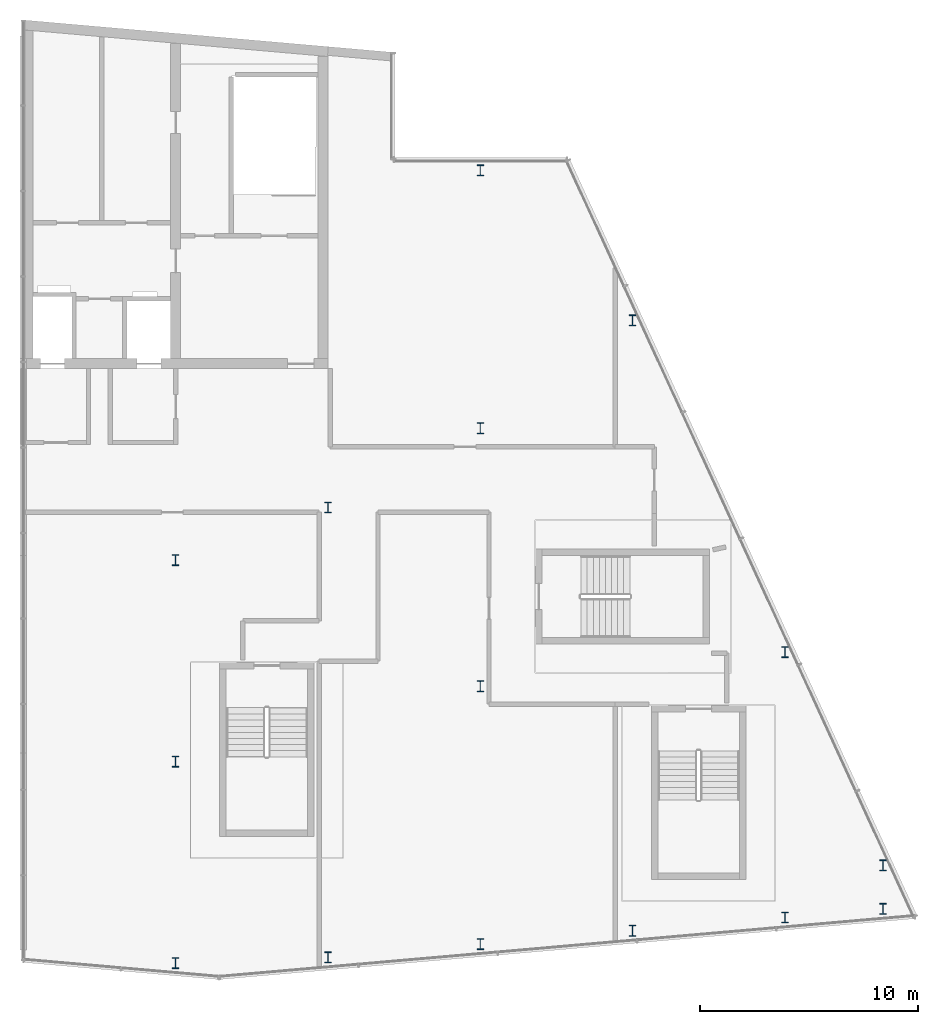
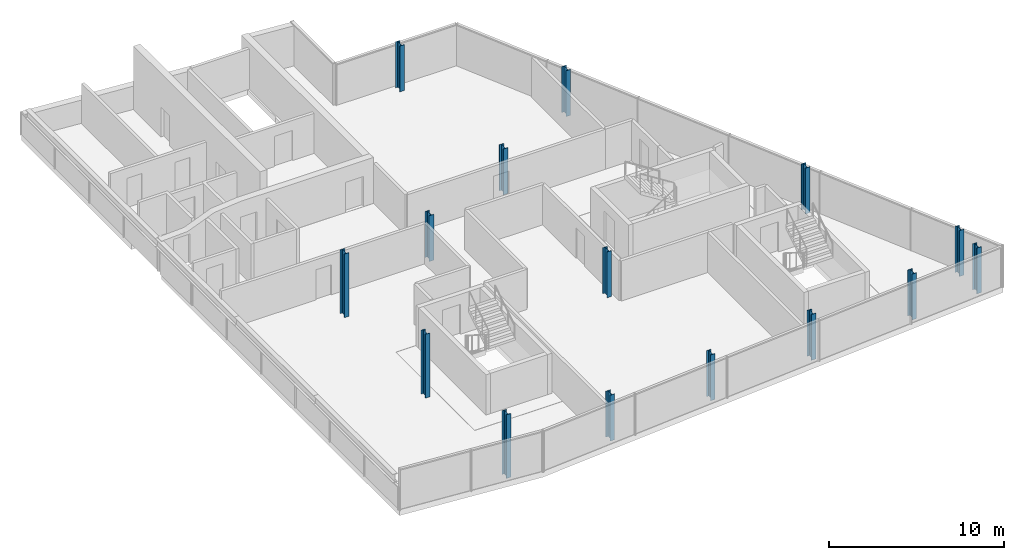
# One storey, part 1 of 10: 15 columns.
"""IFC4 building model written with IfcOpenShell, lengths in metres."""

from ifc_helpers import new_model, si_unit, direction, frame, origin, origin_2d, place, context, subcontext, project, spatial, i_section, extrude, material, material_profile, profile_set, type_object, element, save


model = new_model("IFC4")

# Units and contexts
model_context = context("Model", 3, precision=1e-05, world=origin(), true_north=direction((0.0, 1.0)))
body_context = subcontext(model_context, "Body", "Model", "MODEL_VIEW")
ifc_project = project(units=[si_unit("LENGTHUNIT", "METRE"), si_unit("AREAUNIT", "SQUARE_METRE"), si_unit("VOLUMEUNIT", "CUBIC_METRE"), si_unit("PLANEANGLEUNIT", "RADIAN"), si_unit("MASSUNIT", "GRAM", prefix="KILO")], contexts=[model_context])

# Site, building, storey
site_placement = place(None, origin())
site = spatial("IfcSite", under=ifc_project, at=site_placement, CompositionType="ELEMENT")
building_placement = place(site_placement, origin())
building = spatial("IfcBuilding", under=site, at=building_placement, Name="Wharfspan Tower", CompositionType="ELEMENT")
storey_placement = place(building_placement, frame((0.0, 0.0, 267.5)))
storey = spatial("IfcBuildingStorey", under=building, at=storey_placement, Name="L68", CompositionType="ELEMENT", Elevation=267.5)

# Columns
ifc_material = material(Name="Steel S355J2", Category="steel")
ifc_material_profile = material_profile(ifc_material, i_section(OverallWidth=0.300049, OverallDepth=0.5, WebThickness=0.014404, FlangeThickness=0.028076, FilletRadius=0.0271, at=origin_2d()))
ifc_profile_set = profile_set([ifc_material_profile], Name="Steel S355J2")
column_type = type_object("IfcColumnType", Name="Crown column HEB 500", PredefinedType="COLUMN", material=ifc_profile_set)
for number, where, z_axis, x_axis, name in (
    (1, (44.0, 6.675293, 0.0), (0.0, 0.0, 1.0), (1.0, 0.0, 0.0), "Crown column CR4 7 L68"),
    (2, (44.0, 15.933594, 0.0), (0.0, 0.0, 1.0), (1.0, 0.0, 0.0), "Crown column CR4 16 L68"),
    (3, (44.0, 25.191895, 0.0), (0.0, 0.0, 1.0), (1.0, 0.0, 0.0), "Crown column CR4 25 L68"),
):
    element("IfcColumn", number, at=place(storey_placement, frame(where, z_axis=z_axis, x_axis=x_axis)), inside=storey, type_object=column_type, Name=name, PredefinedType="COLUMN", context=body_context, shape_type="SweptSolid", body=[
        extrude(i_section(OverallWidth=0.300049, OverallDepth=0.5, WebThickness=0.014404, FlangeThickness=0.028076, FilletRadius=0.0271, at=origin_2d()), origin(), (0.0, 0.0, 1.0), 4.450195),
    ])
for number, where, z_axis, x_axis, name in (
    (4, (51.0, 6.937744, 0.0), (0.0, 0.0, 1.0), (1.0, 0.0, 0.0), "Crown column CR5 7 L68"),
    (5, (51.0, 27.612549, 0.0), (0.0, 0.0, 1.0), (1.0, 0.0, 0.0), "Crown column CR5 28 L68"),
    (6, (58.0, 7.550293, 0.0), (0.0, 0.0, 1.0), (1.0, 0.0, 0.0), "Crown column CR6 8 L68"),
    (7, (58.0, 19.400146, 0.0), (0.0, 0.0, 1.0), (1.0, 0.0, 0.0), "Crown column CR6 19 L68"),
    (8, (58.0, 31.25, 0.0), (0.0, 0.0, 1.0), (1.0, 0.0, 0.0), "Crown column CR6 31 L68"),
    (9, (58.0, 43.100098, 0.0), (0.0, 0.0, 1.0), (1.0, 0.0, 0.0), "Crown column CR6 43 L68"),
    (10, (65.0, 8.162598, 0.0), (0.0, 0.0, 1.0), (1.0, 0.0, 0.0), "Crown column CR7 8 L68"),
    (11, (65.0, 36.211182, 0.0), (0.0, 0.0, 1.0), (1.0, 0.0, 0.0), "Crown column CR7 36 L68"),
    (12, (72.0, 8.775146, 0.0), (0.0, 0.0, 1.0), (1.0, 0.0, 0.0), "Crown column CR8 9 L68"),
    (13, (72.0, 20.966797, 0.0), (0.0, 0.0, 1.0), (1.0, 0.0, 0.0), "Crown column CR8 21 L68"),
    (14, (76.5, 9.168701, 0.0), (0.0, 0.0, 1.0), (1.0, 0.0, 0.0), "Crown column CR9 9 L68"),
    (15, (76.5, 11.166748, 0.0), (0.0, 0.0, 1.0), (1.0, 0.0, 0.0), "Crown column CR9 11 L68"),
):
    element("IfcColumn", number, at=place(storey_placement, frame(where, z_axis=z_axis, x_axis=x_axis)), inside=storey, type_object=column_type, Name=name, PredefinedType="COLUMN", context=body_context, shape_type="SweptSolid", body=[
        extrude(i_section(OverallWidth=0.300049, OverallDepth=0.5, WebThickness=0.014404, FlangeThickness=0.028076, FilletRadius=0.0271, at=origin_2d()), origin(), (0.0, 0.0, 1.0), 3.199951),
    ])

save(model, "model.ifc")
